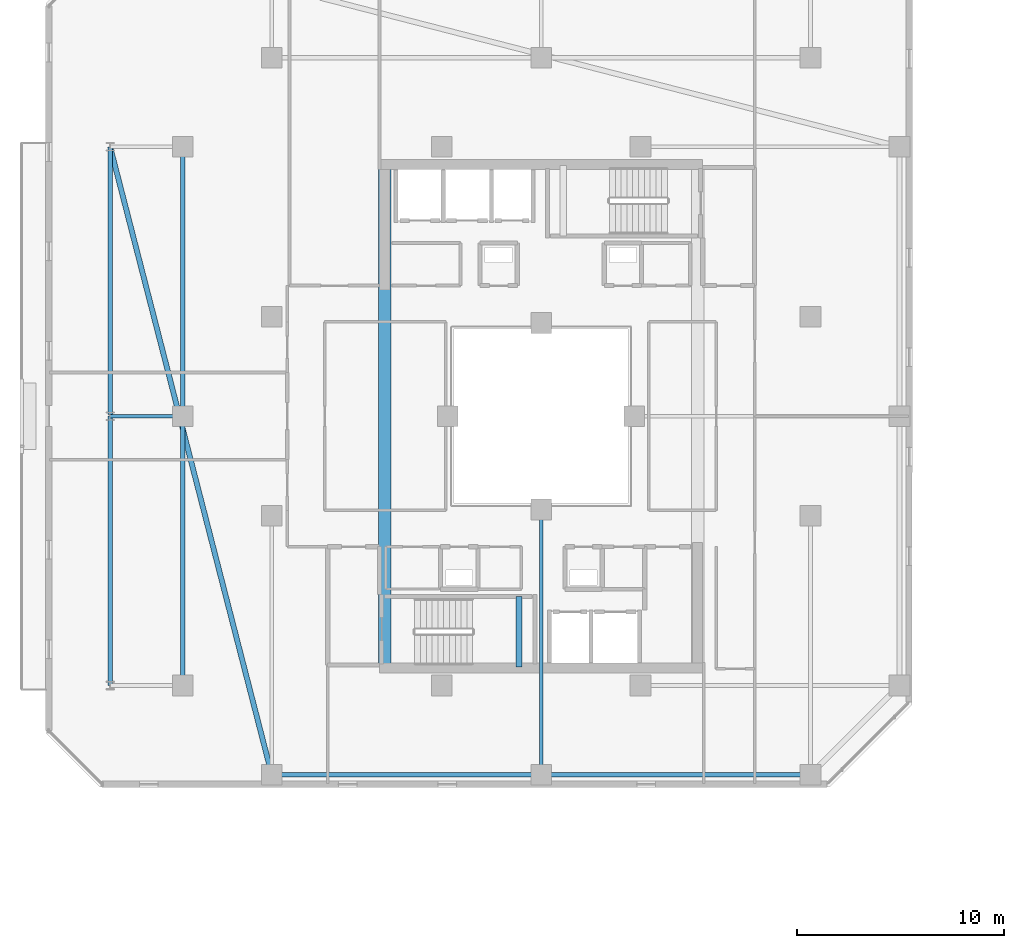
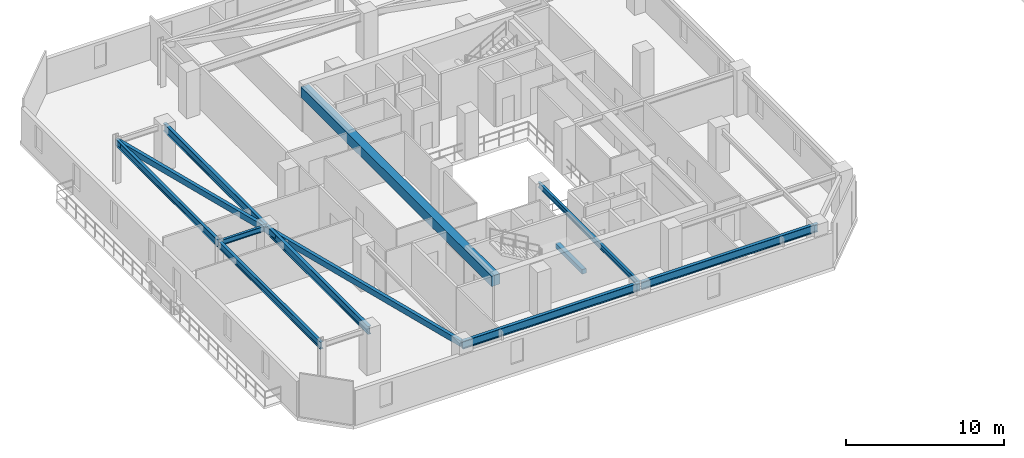
# One storey, part 4 of 33: 11 beams.
"""IFC4 building model written with IfcOpenShell, lengths in metres."""

from ifc_helpers import new_model, si_unit, direction, frame, origin, origin_2d, place, context, subcontext, project, spatial, rectangle, hollow_rectangle, i_section, extrude, material, material_profile, profile_set, type_object, element, save


model = new_model("IFC4")

# Units and contexts
model_context = context("Model", 3, precision=1e-05, world=origin(), true_north=direction((0.0, 1.0)))
body_context = subcontext(model_context, "Body", "Model", "MODEL_VIEW")
ifc_project = project(units=[si_unit("LENGTHUNIT", "METRE"), si_unit("AREAUNIT", "SQUARE_METRE"), si_unit("VOLUMEUNIT", "CUBIC_METRE"), si_unit("PLANEANGLEUNIT", "RADIAN"), si_unit("MASSUNIT", "GRAM", prefix="KILO")], contexts=[model_context])

# Site, building, storey
site_placement = place(None, origin())
site = spatial("IfcSite", under=ifc_project, at=site_placement, CompositionType="ELEMENT")
building_placement = place(site_placement, origin())
building = spatial("IfcBuilding", under=site, at=building_placement, Name="Thornwick Lancets Civic Towers", CompositionType="ELEMENT")
storey_placement = place(building_placement, frame((0.0, 0.0, 203.699951171875)))
storey = spatial("IfcBuildingStorey", under=building, at=storey_placement, Name="L54", CompositionType="ELEMENT", Elevation=203.699951171875)

# Beams
ifc_material_1 = material(Name="Concrete C60/75", Category="concrete")
ifc_material_profile_1 = material_profile(ifc_material_1, rectangle(XDim=0.60009765625, YDim=0.800048828125, at=origin_2d()), Name="RC 600x800")
ifc_profile_set_1 = profile_set([ifc_material_profile_1], Name="Concrete C60/75")
beam_type_1 = type_object("IfcBeamType", Name="BM_COUP_RC800", PredefinedType="BEAM", material=ifc_profile_set_1)
beam_1_placement = place(storey_placement, frame((17.949951171875, 14.89990234375, 2.9599609375), z_axis=(0.0, 1.0, 0.0), x_axis=(-1.0, 0.0, 0.0)))
element("IfcBeam", 1, at=beam_1_placement, inside=storey, type_object=beam_type_1, Name="CB-L54-A2", PredefinedType="BEAM", context=body_context, shape_type="SweptSolid", body=[
    extrude(rectangle(XDim=0.60009765625, YDim=0.800048828125, at=origin_2d()), origin(), (0.0, 0.0, 1.0), 24.2001953125),
])
ifc_material_2 = material(Name="Steel S355JR", Category="steel")
ifc_material_profile_2 = material_profile(ifc_material_2, i_section(OverallWidth=0.210693359375, OverallDepth=0.53955078125, WebThickness=0.01171875, FlangeThickness=0.018798828125, FilletRadius=0.0126953125, at=origin_2d()), Name="UKB 533x210x109")
ifc_profile_set_2 = profile_set([ifc_material_profile_2], Name="Steel S355JR")
beam_type_2 = type_object("IfcBeamType", Name="BM_EDGE_533_109", PredefinedType="SPANDREL", material=ifc_profile_set_2)
beam_2_placement = place(storey_placement, frame((4.699951171875, 14.0, 3.09033203125), z_axis=(0.0, 1.0, 0.0), x_axis=(-1.0, 0.0, 0.0)))
element("IfcBeam", 2, at=beam_2_placement, inside=storey, type_object=beam_type_2, Name="BM-EDGE-L54-A-S3-1", PredefinedType="SPANDREL", context=body_context, shape_type="SweptSolid", body=[
    extrude(i_section(OverallWidth=0.210693359375, OverallDepth=0.53955078125, WebThickness=0.01171875, FlangeThickness=0.018798828125, FilletRadius=0.0126953125, at=origin_2d()), origin(), (0.0, 0.0, 1.0), 13.0),
])
beam_3_placement = place(storey_placement, frame((4.699951171875, 27.080078125, 3.09033203125), z_axis=(0.0, 1.0, 0.0), x_axis=(-1.0, 0.0, 0.0)))
element("IfcBeam", 3, at=beam_3_placement, inside=storey, type_object=beam_type_2, Name="BM-EDGE-L54-A-S3-2", PredefinedType="SPANDREL", context=body_context, shape_type="SweptSolid", body=[
    extrude(i_section(OverallWidth=0.210693359375, OverallDepth=0.53955078125, WebThickness=0.01171875, FlangeThickness=0.018798828125, FilletRadius=0.0126953125, at=origin_2d()), origin(), (0.0, 0.0, 1.0), 12.919921875),
])
ifc_material_profile_3 = material_profile(ifc_material_2, i_section(OverallWidth=0.230224609375, OverallDepth=0.6171875, WebThickness=0.01318359375, FlangeThickness=0.022216796875, FilletRadius=0.0126953125, at=origin_2d()), Name="UKB 610x229x140")
ifc_profile_set_3 = profile_set([ifc_material_profile_3], Name="Steel S355JR")
beam_type_3 = type_object("IfcBeamType", Name="BM_GIRD_610_140", PredefinedType="BEAM", material=ifc_profile_set_3)
beam_4_placement = place(storey_placement, frame((12.5, 9.699951171875, 3.051513671875), z_axis=(1.0, 0.0, 0.0), x_axis=(0.0, 1.0, 0.0)))
element("IfcBeam", 4, at=beam_4_placement, inside=storey, type_object=beam_type_3, Name="BM-SPINE-L54-A-0-1", PredefinedType="BEAM", context=body_context, shape_type="SweptSolid", body=[
    extrude(i_section(OverallWidth=0.230224609375, OverallDepth=0.6171875, WebThickness=0.01318359375, FlangeThickness=0.022216796875, FilletRadius=0.0126953125, at=origin_2d()), origin(), (0.0, 0.0, 1.0), 13.0),
])
beam_5_placement = place(storey_placement, frame((25.580078125, 9.699951171875, 3.051513671875), z_axis=(1.0, 0.0, 0.0), x_axis=(0.0, 1.0, 0.0)))
element("IfcBeam", 5, at=beam_5_placement, inside=storey, type_object=beam_type_3, Name="BM-SPINE-L54-A-1-2", PredefinedType="BEAM", context=body_context, shape_type="SweptSolid", body=[
    extrude(i_section(OverallWidth=0.230224609375, OverallDepth=0.6171875, WebThickness=0.01318359375, FlangeThickness=0.022216796875, FilletRadius=0.0126953125, at=origin_2d()), origin(), (0.0, 0.0, 1.0), 12.919921875),
])
beam_6_placement = place(storey_placement, frame((8.199951171875, 14.0, 3.051513671875), z_axis=(0.0, 1.0, 0.0), x_axis=(-1.0, 0.0, 0.0)))
element("IfcBeam", 6, at=beam_6_placement, inside=storey, type_object=beam_type_3, Name="BM-SPINE-L54-A-9-10", PredefinedType="BEAM", context=body_context, shape_type="SweptSolid", body=[
    extrude(i_section(OverallWidth=0.230224609375, OverallDepth=0.6171875, WebThickness=0.01318359375, FlangeThickness=0.022216796875, FilletRadius=0.0126953125, at=origin_2d()), origin(), (0.0, 0.0, 1.0), 13.0),
])
beam_7_placement = place(storey_placement, frame((8.199951171875, 27.080078125, 3.051513671875), z_axis=(0.0, 1.0, 0.0), x_axis=(-1.0, 0.0, 0.0)))
element("IfcBeam", 7, at=beam_7_placement, inside=storey, type_object=beam_type_3, Name="BM-SPINE-L54-A-10-11", PredefinedType="BEAM", context=body_context, shape_type="SweptSolid", body=[
    extrude(i_section(OverallWidth=0.230224609375, OverallDepth=0.6171875, WebThickness=0.01318359375, FlangeThickness=0.022216796875, FilletRadius=0.0126953125, at=origin_2d()), origin(), (0.0, 0.0, 1.0), 12.919921875),
])
ifc_material_profile_4 = material_profile(ifc_material_2, i_section(OverallWidth=0.179443359375, OverallDepth=0.412841796875, WebThickness=0.009521484375, FlangeThickness=0.01611328125, FilletRadius=0.01025390625, at=origin_2d()), Name="UKB 406x178x74")
ifc_profile_set_4 = profile_set([ifc_material_profile_4], Name="Steel S355JR")
beam_type_4 = type_object("IfcBeamType", Name="BM_JOIST_406_74", PredefinedType="JOIST", material=ifc_profile_set_4)
beam_8_placement = place(storey_placement, frame((25.5, 22.5, 3.153564453125), z_axis=(0.0, -1.0, 0.0), x_axis=(1.0, 0.0, 0.0)))
element("IfcBeam", 8, at=beam_8_placement, inside=storey, type_object=beam_type_4, Name="BM-RADIN-L54-A02", PredefinedType="JOIST", context=body_context, shape_type="SweptSolid", body=[
    extrude(i_section(OverallWidth=0.179443359375, OverallDepth=0.412841796875, WebThickness=0.009521484375, FlangeThickness=0.01611328125, FilletRadius=0.01025390625, at=origin_2d()), origin(), (0.0, 0.0, 1.0), 12.800048828125),
])
beam_9_placement = place(storey_placement, frame((8.199951171875, 27.0, 3.153564453125), z_axis=(-1.0, 0.0, 0.0), x_axis=(0.0, -1.0, 0.0)))
element("IfcBeam", 9, at=beam_9_placement, inside=storey, type_object=beam_type_4, Name="BM-RAD-L54-A11", PredefinedType="JOIST", context=body_context, shape_type="SweptSolid", body=[
    extrude(i_section(OverallWidth=0.179443359375, OverallDepth=0.412841796875, WebThickness=0.009521484375, FlangeThickness=0.01611328125, FilletRadius=0.01025390625, at=origin_2d()), origin(), (0.0, 0.0, 1.0), 3.5),
])
ifc_material_profile_5 = material_profile(ifc_material_2, hollow_rectangle(XDim=0.25, YDim=0.449951171875, WallThickness=0.01611328125, at=origin_2d()), Name="RHS 450x250x16")
ifc_profile_set_5 = profile_set([ifc_material_profile_5], Name="Steel S355JR")
beam_type_5 = type_object("IfcBeamType", Name="BM_RING_RHS450", PredefinedType="BEAM", material=ifc_profile_set_5)
beam_10_placement = place(storey_placement, frame((4.699951171875, 40.0, 3.135009765625), z_axis=(0.249299080716, -0.96842654257, 0.0), x_axis=(0.96842654257, 0.249299080716, 0.0)))
element("IfcBeam", 10, at=beam_10_placement, inside=storey, type_object=beam_type_5, Name="BM-CHAMF-L54-A-C3", PredefinedType="BEAM", context=body_context, shape_type="SweptSolid", body=[
    extrude(hollow_rectangle(XDim=0.25, YDim=0.449951171875, WallThickness=0.01611328125, at=origin_2d()), origin(), (0.0, 0.0, 1.0), 31.287841796875),
])
ifc_material_3 = material(Name="Concrete C40/50", Category="concrete")
ifc_material_profile_6 = material_profile(ifc_material_3, rectangle(XDim=0.300048828125, YDim=0.35009765625, at=origin_2d()), Name="RC 300x350")
ifc_profile_set_6 = profile_set([ifc_material_profile_6], Name="Concrete C40/50")
beam_type_6 = type_object("IfcBeamType", Name="BM_STAIR_LDG", PredefinedType="BEAM", material=ifc_profile_set_6)
beam_11_placement = place(storey_placement, frame((24.43505859375, 14.89990234375, 1.3779296875), z_axis=(0.0, 1.0, 0.0), x_axis=(-1.0, 0.0, 0.0)))
element("IfcBeam", 11, at=beam_11_placement, inside=storey, type_object=beam_type_6, Name="L54 ST-A1 Landing Support Beam 1", PredefinedType="BEAM", context=body_context, shape_type="SweptSolid", body=[
    extrude(rectangle(XDim=0.300048828125, YDim=0.35009765625, at=origin_2d()), origin(), (0.0, 0.0, 1.0), 3.400146484375),
])

save(model, "model.ifc")
